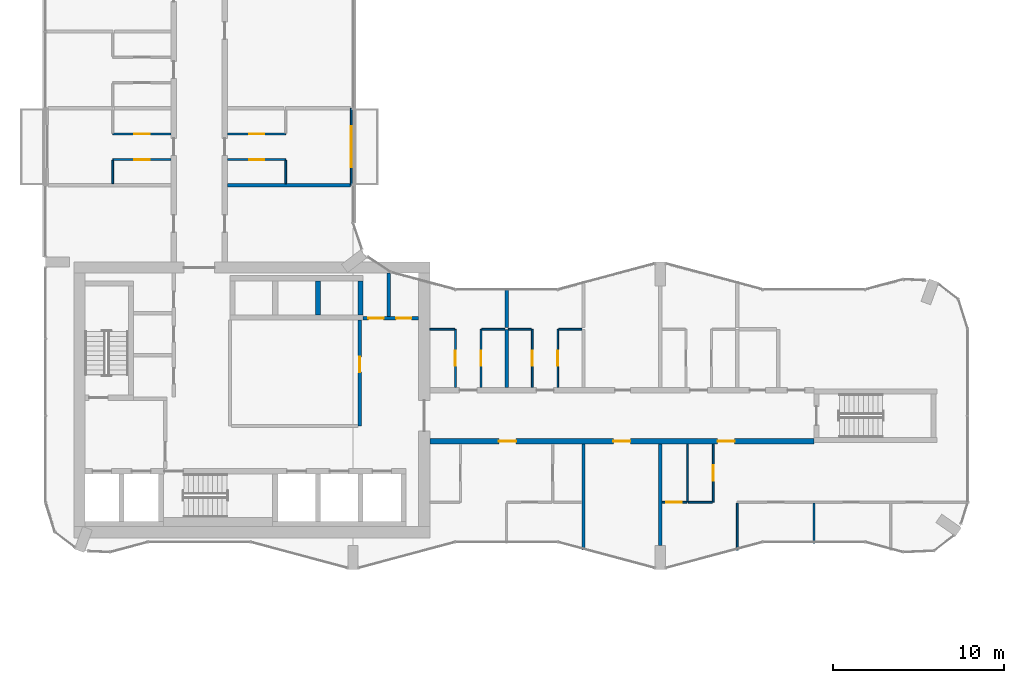
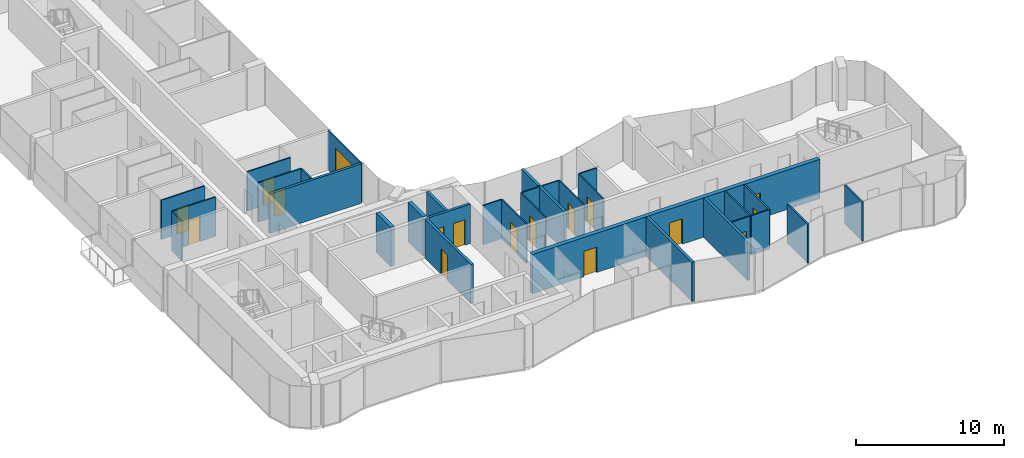
# One storey, part 14 of 22: 32 walls, 17 doors, 17 openings.
"""IFC4 building model written with IfcOpenShell, lengths in metres."""

import ifcopenshell
import ifcopenshell.guid

model = None  # the IFC model being written
_history = None  # IfcOwnerHistory: only IFC2X3 demands one
_inside = {}  # id of a spatial element -> (the spatial element, [elements in it])
_under = {}  # id of a project, library or spatial element -> (it, [spatial elements below it])
_declared = {}  # id of a project -> (the project, [libraries it declares])
_typed = {}  # id of a type object -> (the type object, [elements of that type])
_made_of = {}  # id of a material, layer set ... -> (it, [elements and type objects made of it])


def new_model(schema):
    """Start an empty IFC model of exactly this schema.

    Asked for "IFC4X3", IfcOpenShell would pick the latest addendum, in which some entities
    have other attributes; the version numbers below select the first issue.
    IFC2X3 requires an IfcOwnerHistory on every rooted entity: one is made here for all.
    """
    global model, _history
    if schema == "IFC4X3":
        model = ifcopenshell.file(schema_version=(4, 3, 0, 0))
    else:
        model = ifcopenshell.file(schema=schema)
    _inside.clear()
    _under.clear()
    _declared.clear()
    _typed.clear()
    _made_of.clear()
    _history = None
    if model.schema == "IFC2X3":
        org = make("IfcOrganization", Name="unknown")
        user = make(
            "IfcPersonAndOrganization",
            ThePerson=make("IfcPerson", FamilyName="unknown"),
            TheOrganization=org,
        )
        app = make(
            "IfcApplication",
            ApplicationDeveloper=org,
            Version="unknown",
            ApplicationFullName="unknown",
            ApplicationIdentifier="unknown",
        )
        _history = make(
            "IfcOwnerHistory",
            OwningUser=user,
            OwningApplication=app,
            ChangeAction="ADDED",
            CreationDate=0,
        )
    return model


def make(cls, **values):
    """One entity of the class cls with the attributes given. An attribute that is None is left unset."""
    return model.create_entity(
        cls, **{name: value for name, value in values.items() if value is not None}
    )


def rooted(cls, **values):
    """An entity with a GlobalId (a new one), such as an element, a storey or a relation."""
    return make(cls, GlobalId=ifcopenshell.guid.new(), OwnerHistory=_history, **values)


def si_unit(unit_type, name, prefix=None):
    """IfcSIUnit, for example si_unit("LENGTHUNIT", "METRE", prefix="MILLI")."""
    return make("IfcSIUnit", UnitType=unit_type, Prefix=prefix, Name=name)


def assignment(units):
    """IfcUnitAssignment: the units of a project."""
    return None if units is None else make("IfcUnitAssignment", Units=units)


def point(xyz):
    """IfcCartesianPoint."""
    return None if xyz is None else make("IfcCartesianPoint", Coordinates=xyz)


def direction(xyz):
    """IfcDirection."""
    return None if xyz is None else make("IfcDirection", DirectionRatios=xyz)


def frame(location, z_axis=None, x_axis=None):
    """IfcAxis2Placement3D, a coordinate frame: its origin and axes. An axis left out is left unset."""
    return make(
        "IfcAxis2Placement3D",
        Location=point(location),
        Axis=direction(z_axis),
        RefDirection=direction(x_axis),
    )


def frame_2d(location, x_axis=None):
    """IfcAxis2Placement2D, a coordinate frame in the plane: its origin and x axis."""
    return make(
        "IfcAxis2Placement2D", Location=point(location), RefDirection=direction(x_axis)
    )


def origin():
    """The frame at (0, 0, 0) with its axes left unset."""
    return frame((0.0, 0.0, 0.0))


def place(relative_to, where):
    """IfcLocalPlacement: puts the frame where relative to a parent placement (None: the world)."""
    return make(
        "IfcLocalPlacement", PlacementRelTo=relative_to, RelativePlacement=where
    )


def context(
    kind, dimensions, precision=None, world=None, true_north=None, identifier=None
):
    """IfcGeometricRepresentationContext, for example the 3D "Model" context."""
    return make(
        "IfcGeometricRepresentationContext",
        ContextIdentifier=identifier,
        ContextType=kind,
        CoordinateSpaceDimension=dimensions,
        Precision=precision,
        WorldCoordinateSystem=world,
        TrueNorth=true_north,
    )


def subcontext(parent, identifier, kind, view, scale=None):
    """IfcGeometricRepresentationSubContext, for example "Body" below "Model"."""
    return make(
        "IfcGeometricRepresentationSubContext",
        ContextIdentifier=identifier,
        ContextType=kind,
        ParentContext=parent,
        TargetScale=scale,
        TargetView=view,
    )


def project(units=None, contexts=None):
    """IfcProject with its units and contexts."""
    return rooted(
        "IfcProject",
        Name="project",
        RepresentationContexts=contexts,
        UnitsInContext=assignment(units),
    )


def spatial(cls, under=None, at=None, **own):
    """A site, building, storey or space (cls), placed at a placement, below another one or the project."""
    s = rooted(cls, ObjectPlacement=at, **own)
    if under is not None:
        _under.setdefault(under.id(), (under, []))[1].append(s)
    return s


def profile(cls, at=None, kind="AREA", **sizes):
    """A parametric profile (cls). Its sizes go by their IFC names, for example OverallWidth=200.0."""
    return make(cls, ProfileType=kind, Position=at, **sizes)


def rectangle(**sizes):
    """IfcRectangleProfileDef."""
    return profile("IfcRectangleProfileDef", **sizes)


def extrude(swept, where, along, depth):
    """IfcExtrudedAreaSolid: the profile swept, set in the frame where, extruded along a direction by depth."""
    return make(
        "IfcExtrudedAreaSolid",
        SweptArea=swept,
        Position=where,
        ExtrudedDirection=direction(along),
        Depth=depth,
    )


def shape(context_of_items, identifier, shape_type, items):
    """IfcShapeRepresentation: the items that make up one representation, for example the "Body"."""
    return make(
        "IfcShapeRepresentation",
        ContextOfItems=context_of_items,
        RepresentationIdentifier=identifier,
        RepresentationType=shape_type,
        Items=items,
    )


def material(Name=None, Category=None):
    """IfcMaterial."""
    return make("IfcMaterial", Name=Name, Category=Category)


def layer(
    of_material, thickness, ventilated=None, Name=None, Category=None, Priority=None
):
    """IfcMaterialLayer: one layer of a wall or slab, of a material (None: an air gap)."""
    return make(
        "IfcMaterialLayer",
        Material=of_material,
        LayerThickness=thickness,
        IsVentilated=ventilated,
        Name=Name,
        Category=Category,
        Priority=Priority,
    )


def layer_set(layers, Name=None):
    """IfcMaterialLayerSet."""
    return make("IfcMaterialLayerSet", MaterialLayers=layers, LayerSetName=Name)


def made_of(thing, what):
    """Note that an element or type object is made of a material, layer set ...; save() writes the relation."""
    if what is not None:
        _made_of.setdefault(what.id(), (what, []))[1].append(thing)
    return thing


def type_object(cls, material=None, **own):
    """A type object (cls), such as IfcWallType, which elements share."""
    return made_of(rooted(cls, **own), material)


def element(
    cls,
    number,
    at=None,
    inside=None,
    cuts=None,
    type_object=None,
    material=None,
    context=None,
    identifier="Body",
    shape_type=None,
    held_by="IfcProductDefinitionShape",
    body=None,
    shapes=None,
    **own,
):
    """One element of the class cls, such as IfcWall. Its Tag is "e" and its number.

    at: its placement. inside: the storey or other place that contains it. cuts: it is an
    opening in that element (IfcRelVoidsElement). A single representation is given by context,
    identifier, shape_type and body (its items); several are given by shapes. held_by: the class
    of the entity that holds the representations. save() writes the other relations.
    """
    e = rooted(cls, Tag="e%d" % number, ObjectPlacement=at, **own)
    if body is not None:
        shapes = [shape(context, identifier, shape_type, body)]
    if shapes is not None:
        e.Representation = make(held_by, Representations=shapes)
    if inside is not None:
        _inside.setdefault(inside.id(), (inside, []))[1].append(e)
    if cuts is not None:
        rooted(
            "IfcRelVoidsElement", RelatingBuildingElement=cuts, RelatedOpeningElement=e
        )
    if type_object is not None:
        _typed.setdefault(type_object.id(), (type_object, []))[1].append(e)
    return made_of(e, material)


def fill(opening, filler):
    """IfcRelFillsElement: the door or window that sits in an opening."""
    return rooted(
        "IfcRelFillsElement",
        RelatingOpeningElement=opening,
        RelatedBuildingElement=filler,
    )


def aggregate(whole, parts):
    """IfcRelAggregates: a whole, such as a stair, and the parts it consists of."""
    return rooted("IfcRelAggregates", RelatingObject=whole, RelatedObjects=parts)


def save(model, path):
    """Write the relations noted so far, then the file.

    IfcRelAggregates (storeys below a building ...), IfcRelContainedInSpatialStructure (elements
    in a storey), IfcRelDefinesByType, IfcRelAssociatesMaterial and IfcRelDeclares: one each for
    every whole, place, type object, material and project.
    """
    for whole, parts in _under.values():
        aggregate(whole, parts)
    for where, things in _inside.values():
        rooted(
            "IfcRelContainedInSpatialStructure",
            RelatedElements=things,
            RelatingStructure=where,
        )
    for kind, things in _typed.values():
        rooted("IfcRelDefinesByType", RelatedObjects=things, RelatingType=kind)
    for what, things in _made_of.values():
        rooted("IfcRelAssociatesMaterial", RelatedObjects=things, RelatingMaterial=what)
    for by, libraries in _declared.values():
        rooted("IfcRelDeclares", RelatingContext=by, RelatedDefinitions=libraries)
    model.write(path)


model = new_model("IFC4")

# Units and contexts
model_context = context("Model", 3, precision=1e-05, world=origin(), true_north=direction((0.0, 1.0)))
body_context = subcontext(model_context, "Body", "Model", "MODEL_VIEW")
ifc_project = project(units=[si_unit("LENGTHUNIT", "METRE"), si_unit("AREAUNIT", "SQUARE_METRE"), si_unit("VOLUMEUNIT", "CUBIC_METRE"), si_unit("PLANEANGLEUNIT", "RADIAN"), si_unit("MASSUNIT", "GRAM", prefix="KILO")], contexts=[model_context])

# Site, building, storey
site_placement = place(None, origin())
site = spatial("IfcSite", under=ifc_project, at=site_placement, CompositionType="ELEMENT")
building_placement = place(site_placement, origin())
building = spatial("IfcBuilding", under=site, at=building_placement, Name="Plateau Cross Towers", CompositionType="ELEMENT")
storey_placement = place(building_placement, frame((0.0, 0.0, 106.300048828125)))
storey = spatial("IfcBuildingStorey", under=building, at=storey_placement, Name="L27", CompositionType="ELEMENT", Elevation=106.300048828125)

# Wall, opening, door
ifc_material_1 = material(Name="Aluminium framed glazing", Category="aluminium")
ifc_layer_1 = layer(ifc_material_1, 0.10009765625)
ifc_layer_set_1 = layer_set([ifc_layer_1], Name="Aluminium framed glazing")
wall_type_1 = type_object("IfcWallType", Name="Balcony screen wall 100", PredefinedType="STANDARD", material=ifc_layer_set_1)
wall_1_placement = place(storey_placement, frame((17.89990234375, 27.0, 0.0), z_axis=(0.0, 0.0, 1.0), x_axis=(0.0, -1.0, 0.0)))
wall_1 = element("IfcWall", 1, at=wall_1_placement, inside=storey, type_object=wall_type_1, Name="Balcony screen wall A-BAL-L27-02", PredefinedType="STANDARD", context=body_context, shape_type="SweptSolid", body=[
    extrude(rectangle(XDim=4.5, YDim=0.10009765625, at=frame_2d((2.25, 0.0))), origin(), (0.0, 0.0, 1.0), 3.25),
])
opening_1_placement = place(wall_1_placement, frame((1.050048828125, 0.0, 0.0)))
opening_1 = element("IfcOpeningElement", 2, at=opening_1_placement, cuts=wall_1, Name="Opening D-B24", PredefinedType="OPENING", context=body_context, shape_type="SweptSolid", body=[
    extrude(rectangle(XDim=2.39990234375, YDim=2.39990234375, at=frame_2d((1.199951171875, 1.199951171875))), frame((0.0, 0.06005859375, 0.0), z_axis=(0.0, -1.0, 0.0), x_axis=(1.0, 0.0, 0.0)), (0.0, 0.0, 1.0), 0.1201171875),
])
ifc_material_2 = material(Name="Aluminium frame, double glazing", Category="aluminium")
door_type_1 = type_object("IfcDoorType", Name="Balcony sliding door 2400", OperationType="NOTDEFINED", PredefinedType="DOOR", material=ifc_material_2)
door_1_placement = place(opening_1_placement, origin())
door_1 = element("IfcDoor", 3, at=door_1_placement, inside=storey, type_object=door_type_1, Name="Balcony door A-BAL-L27-02", OperationType="SINGLE_SWING_LEFT", OverallHeight=2.39990234375, OverallWidth=2.39990234375, PredefinedType="DOOR", context=body_context, shape_type="SweptSolid", body=[
    extrude(rectangle(XDim=2.39990234375, YDim=2.39990234375, at=frame_2d((1.199951171875, 1.199951171875))), frame((0.0, 0.02490234375, 0.0), z_axis=(0.0, -1.0, 0.0), x_axis=(1.0, 0.0, 0.0)), (0.0, 0.0, 1.0), 0.050048828125),
])
fill(opening_1, door_1)

ifc_material_3 = material(Name="Concrete block, plastered both sides", Category="concrete")
ifc_layer_2 = layer(ifc_material_3, 0.199951171875)
ifc_layer_set_2 = layer_set([ifc_layer_2], Name="Concrete block, plastered both sides")
wall_type_2 = type_object("IfcWallType", Name="Core partition 200", PredefinedType="PARTITIONING", material=ifc_layer_set_2)
wall_2_placement = place(storey_placement, frame((18.39990234375, 8.39990234375, 0.0), z_axis=(0.0, 0.0, 1.0), x_axis=(0.0, 1.0, 0.0)))
wall_2 = element("IfcWall", 4, at=wall_2_placement, inside=storey, type_object=wall_type_2, Name="Core partition", PredefinedType="PARTITIONING", context=body_context, shape_type="SweptSolid", body=[
    extrude(rectangle(XDim=6.2001953125, YDim=0.199951171875, at=frame_2d((3.10009765625, 0.0))), origin(), (0.0, 0.0, 1.0), 3.25),
])
opening_2_placement = place(wall_2_placement, frame((3.14990234375, 0.0, 0.0)))
opening_2 = element("IfcOpeningElement", 5, at=opening_2_placement, cuts=wall_2, Name="Opening RD1", PredefinedType="OPENING", context=body_context, shape_type="SweptSolid", body=[
    extrude(rectangle(XDim=0.89990234375, YDim=2.10009765625, at=frame_2d((0.449951171875, 1.050048828125))), frame((0.0, 0.10986328125, 0.0), z_axis=(0.0, -1.0, 0.0), x_axis=(1.0, 0.0, 0.0)), (0.0, 0.0, 1.0), 0.219970703125),
])
ifc_material_4 = material(Name="Timber, fire-resisting leaf", Category="wood")
door_type_2 = type_object("IfcDoorType", Name="Core service door 900", OperationType="NOTDEFINED", PredefinedType="DOOR", material=ifc_material_4)
door_2_placement = place(opening_2_placement, origin())
door_2 = element("IfcDoor", 6, at=door_2_placement, inside=storey, type_object=door_type_2, Name="Core service door RD1", OperationType="SINGLE_SWING_LEFT", OverallHeight=2.10009765625, OverallWidth=0.89990234375, PredefinedType="DOOR", context=body_context, shape_type="SweptSolid", body=[
    extrude(rectangle(XDim=0.89990234375, YDim=2.10009765625, at=frame_2d((0.449951171875, 1.050048828125))), frame((0.0, 0.02490234375, 0.0), z_axis=(0.0, -1.0, 0.0), x_axis=(1.0, 0.0, 0.0)), (0.0, 0.0, 1.0), 0.050048828125),
])
fill(opening_2, door_2)

# Wall, openings, doors
wall_3_placement = place(storey_placement, frame((18.60009765625, 14.699951171875, 0.0), z_axis=(0.0, 0.0, 1.0), x_axis=(1.0, 0.0, 0.0)))
wall_3 = element("IfcWall", 7, at=wall_3_placement, inside=storey, type_object=wall_type_2, Name="Core partition", PredefinedType="PARTITIONING", context=body_context, shape_type="SweptSolid", body=[
    extrude(rectangle(XDim=3.25, YDim=0.199951171875, at=frame_2d((1.625, 0.0))), origin(), (0.0, 0.0, 1.0), 3.25),
])
opening_3_placement = place(wall_3_placement, frame((0.300048828125, 0.0, 0.0)))
opening_3 = element("IfcOpeningElement", 8, at=opening_3_placement, cuts=wall_3, Name="Opening RD2", PredefinedType="OPENING", context=body_context, shape_type="SweptSolid", body=[
    extrude(rectangle(XDim=0.89990234375, YDim=2.10009765625, at=frame_2d((0.449951171875, 1.050048828125))), frame((0.0, 0.10986328125, 0.0), z_axis=(0.0, -1.0, 0.0), x_axis=(1.0, 0.0, 0.0)), (0.0, 0.0, 1.0), 0.219970703125),
])
opening_4_placement = place(wall_3_placement, frame((1.925048828125, 0.0, 0.0)))
opening_4 = element("IfcOpeningElement", 9, at=opening_4_placement, cuts=wall_3, Name="Opening RD2", PredefinedType="OPENING", context=body_context, shape_type="SweptSolid", body=[
    extrude(rectangle(XDim=0.89990234375, YDim=2.10009765625, at=frame_2d((0.449951171875, 1.050048828125))), frame((0.0, 0.10986328125, 0.0), z_axis=(0.0, -1.0, 0.0), x_axis=(1.0, 0.0, 0.0)), (0.0, 0.0, 1.0), 0.219970703125),
])
ifc_material_5 = material(Name="Steel, fire-resisting leaf", Category="steel")
door_type_3 = type_object("IfcDoorType", Name="Core riser door 900", OperationType="NOTDEFINED", PredefinedType="DOOR", material=ifc_material_5)
door_3_placement = place(opening_3_placement, origin())
door_3 = element("IfcDoor", 10, at=door_3_placement, inside=storey, type_object=door_type_3, Name="Core riser door RD2", OperationType="SINGLE_SWING_LEFT", OverallHeight=2.10009765625, OverallWidth=0.89990234375, PredefinedType="DOOR", context=body_context, shape_type="SweptSolid", body=[
    extrude(rectangle(XDim=0.89990234375, YDim=2.10009765625, at=frame_2d((0.449951171875, 1.050048828125))), frame((0.0, 0.02490234375, 0.0), z_axis=(0.0, -1.0, 0.0), x_axis=(1.0, 0.0, 0.0)), (0.0, 0.0, 1.0), 0.050048828125),
])
fill(opening_3, door_3)
door_4_placement = place(opening_4_placement, origin())
door_4 = element("IfcDoor", 11, at=door_4_placement, inside=storey, type_object=door_type_3, Name="Core riser door RD2", OperationType="SINGLE_SWING_LEFT", OverallHeight=2.10009765625, OverallWidth=0.89990234375, PredefinedType="DOOR", context=body_context, shape_type="SweptSolid", body=[
    extrude(rectangle(XDim=0.89990234375, YDim=2.10009765625, at=frame_2d((0.449951171875, 1.050048828125))), frame((0.0, 0.02490234375, 0.0), z_axis=(0.0, -1.0, 0.0), x_axis=(1.0, 0.0, 0.0)), (0.0, 0.0, 1.0), 0.050048828125),
])
fill(opening_4, door_4)

# Walls
wall_4_placement = place(storey_placement, frame((20.10009765625, 14.800048828125, 0.0), z_axis=(0.0, 0.0, 1.0), x_axis=(0.0, 1.0, 0.0)))
element("IfcWall", 12, at=wall_4_placement, inside=storey, type_object=wall_type_2, Name="Core partition", PredefinedType="PARTITIONING", context=body_context, shape_type="SweptSolid", body=[
    extrude(rectangle(XDim=2.550048828125, YDim=0.199951171875, at=frame_2d((1.27490234375, 0.0))), origin(), (0.0, 0.0, 1.0), 3.25),
])
ifc_material_6 = material(Name="Concrete C60/75", Category="concrete")
ifc_layer_3 = layer(ifc_material_6, 0.300048828125)
ifc_layer_set_3 = layer_set([ifc_layer_3], Name="Concrete C60/75")
wall_type_3 = type_object("IfcWallType", Name="Core shaft wall 300", PredefinedType="SHEAR", material=ifc_layer_set_3)
for number, where, z_axis, x_axis, name in (
    (13, (15.949951171875, 14.89990234375, 0.0), (0.0, 0.0, 1.0), (0.0, 1.0, 0.0), "A-nb-v3@L27"),
    (14, (18.449951171875, 14.89990234375, 0.0), (0.0, 0.0, 1.0), (0.0, 1.0, 0.0), "A-nb-v4@L27"),
):
    element("IfcWall", number, at=place(storey_placement, frame(where, z_axis=z_axis, x_axis=x_axis)), inside=storey, type_object=wall_type_3, Name=name, PredefinedType="SHEAR", context=body_context, shape_type="SweptSolid", body=[
        extrude(rectangle(XDim=2.0, YDim=0.300048828125, at=frame_2d((1.0, 0.0))), origin(), (0.0, 0.0, 1.0), 3.25),
    ])

# Wall, openings, doors
ifc_layer_4 = layer(ifc_material_6, 0.324951171875)
ifc_layer_set_4 = layer_set([ifc_layer_4], Name="Concrete C60/75")
wall_type_4 = type_object("IfcWallType", Name="Corridor wall 325", PredefinedType="SHEAR", material=ifc_layer_set_4)
wall_5_placement = place(storey_placement, frame((22.5, 7.5, 0.0), z_axis=(0.0, 0.0, 1.0), x_axis=(1.0, 0.0, 0.0)))
wall_5 = element("IfcWall", 15, at=wall_5_placement, inside=storey, type_object=wall_type_4, Name="A-cw-S1@L27", PredefinedType="SHEAR", context=body_context, shape_type="SweptSolid", body=[
    extrude(rectangle(XDim=22.5, YDim=0.324951171875, at=frame_2d((11.25, 0.0))), origin(), (0.0, 0.0, 1.0), 3.25),
])
opening_5_placement = place(wall_5_placement, frame((4.050048828125, 0.0, 0.0)))
opening_5 = element("IfcOpeningElement", 16, at=opening_5_placement, cuts=wall_5, Name="Opening 27-01", PredefinedType="OPENING", context=body_context, shape_type="SweptSolid", body=[
    extrude(rectangle(XDim=1.0, YDim=2.10009765625, at=frame_2d((0.5, 1.050048828125))), frame((0.0, 0.17236328125, 0.0), z_axis=(0.0, -1.0, 0.0), x_axis=(1.0, 0.0, 0.0)), (0.0, 0.0, 1.0), 0.344970703125),
])
opening_6_placement = place(wall_5_placement, frame((10.75, 0.0, 0.0)))
opening_6 = element("IfcOpeningElement", 17, at=opening_6_placement, cuts=wall_5, Name="Opening 27-02", PredefinedType="OPENING", context=body_context, shape_type="SweptSolid", body=[
    extrude(rectangle(XDim=1.0, YDim=2.10009765625, at=frame_2d((0.5, 1.050048828125))), frame((0.0, 0.17236328125, 0.0), z_axis=(0.0, -1.0, 0.0), x_axis=(1.0, 0.0, 0.0)), (0.0, 0.0, 1.0), 0.344970703125),
])
opening_7_placement = place(wall_5_placement, frame((16.85009765625, 0.0, 0.0)))
opening_7 = element("IfcOpeningElement", 18, at=opening_7_placement, cuts=wall_5, Name="Opening 27-03", PredefinedType="OPENING", context=body_context, shape_type="SweptSolid", body=[
    extrude(rectangle(XDim=1.0, YDim=2.10009765625, at=frame_2d((0.5, 1.050048828125))), frame((0.0, 0.17236328125, 0.0), z_axis=(0.0, -1.0, 0.0), x_axis=(1.0, 0.0, 0.0)), (0.0, 0.0, 1.0), 0.344970703125),
])
door_type_4 = type_object("IfcDoorType", Name="Flat entrance door 1000", OperationType="NOTDEFINED", PredefinedType="DOOR", material=ifc_material_4)
door_5_placement = place(opening_5_placement, origin())
door_5 = element("IfcDoor", 19, at=door_5_placement, inside=storey, type_object=door_type_4, Name="Door 27-01", OperationType="SINGLE_SWING_LEFT", OverallHeight=2.10009765625, OverallWidth=1.0, PredefinedType="DOOR", context=body_context, shape_type="SweptSolid", body=[
    extrude(rectangle(XDim=1.0, YDim=2.10009765625, at=frame_2d((0.5, 1.050048828125))), frame((0.0, 0.02490234375, 0.0), z_axis=(0.0, -1.0, 0.0), x_axis=(1.0, 0.0, 0.0)), (0.0, 0.0, 1.0), 0.050048828125),
])
fill(opening_5, door_5)
door_6_placement = place(opening_6_placement, origin())
door_6 = element("IfcDoor", 20, at=door_6_placement, inside=storey, type_object=door_type_4, Name="Door 27-02", OperationType="SINGLE_SWING_LEFT", OverallHeight=2.10009765625, OverallWidth=1.0, PredefinedType="DOOR", context=body_context, shape_type="SweptSolid", body=[
    extrude(rectangle(XDim=1.0, YDim=2.10009765625, at=frame_2d((0.5, 1.050048828125))), frame((0.0, 0.02490234375, 0.0), z_axis=(0.0, -1.0, 0.0), x_axis=(1.0, 0.0, 0.0)), (0.0, 0.0, 1.0), 0.050048828125),
])
fill(opening_6, door_6)
door_7_placement = place(opening_7_placement, origin())
door_7 = element("IfcDoor", 21, at=door_7_placement, inside=storey, type_object=door_type_4, Name="Door 27-03", OperationType="SINGLE_SWING_RIGHT", OverallHeight=2.10009765625, OverallWidth=1.0, PredefinedType="DOOR", context=body_context, shape_type="SweptSolid", body=[
    extrude(rectangle(XDim=1.0, YDim=2.10009765625, at=frame_2d((0.5, 1.050048828125))), frame((0.0, 0.02490234375, 0.0), z_axis=(0.0, -1.0, 0.0), x_axis=(1.0, 0.0, 0.0)), (0.0, 0.0, 1.0), 0.050048828125),
])
fill(opening_7, door_7)

# Wall, opening, door
ifc_material_7 = material(Name="Gypsum board on steel studs", Category="steel")
ifc_layer_5 = layer(ifc_material_7, 0.10009765625)
ifc_layer_set_5 = layer_set([ifc_layer_5], Name="Gypsum board on steel studs")
wall_type_5 = type_object("IfcWallType", Name="Flat partition 100", PredefinedType="PARTITIONING", material=ifc_layer_set_5)
wall_6_placement = place(storey_placement, frame((36.10009765625, 3.9375, 0.0), z_axis=(0.0, 0.0, 1.0), x_axis=(1.0, 0.0, 0.0)))
wall_6 = element("IfcWall", 22, at=wall_6_placement, inside=storey, type_object=wall_type_5, Name="Partition wall", PredefinedType="PARTITIONING", context=body_context, shape_type="SweptSolid", body=[
    extrude(rectangle(XDim=1.449951171875, YDim=0.10009765625, at=frame_2d((0.72509765625, 0.0))), origin(), (0.0, 0.0, 1.0), 3.25),
])
opening_8_placement = place(wall_6_placement, frame((0.25, 0.0, 0.0)))
opening_8 = element("IfcOpeningElement", 23, at=opening_8_placement, cuts=wall_6, Name="Opening 27-24", PredefinedType="OPENING", context=body_context, shape_type="SweptSolid", body=[
    extrude(rectangle(XDim=0.89990234375, YDim=2.10009765625, at=frame_2d((0.449951171875, 1.050048828125))), frame((0.0, 0.06005859375, 0.0), z_axis=(0.0, -1.0, 0.0), x_axis=(1.0, 0.0, 0.0)), (0.0, 0.0, 1.0), 0.1201171875),
])
ifc_material_8 = material(Name="Timber leaf", Category="wood")
door_type_5 = type_object("IfcDoorType", Name="Flat room door 900", OperationType="NOTDEFINED", PredefinedType="DOOR", material=ifc_material_8)
door_8_placement = place(opening_8_placement, origin())
door_8 = element("IfcDoor", 24, at=door_8_placement, inside=storey, type_object=door_type_5, Name="Door 27-24", OperationType="SINGLE_SWING_LEFT", OverallHeight=2.10009765625, OverallWidth=0.89990234375, PredefinedType="DOOR", context=body_context, shape_type="SweptSolid", body=[
    extrude(rectangle(XDim=0.89990234375, YDim=2.10009765625, at=frame_2d((0.449951171875, 1.050048828125))), frame((0.0, 0.02490234375, 0.0), z_axis=(0.0, -1.0, 0.0), x_axis=(1.0, 0.0, 0.0)), (0.0, 0.0, 1.0), 0.050048828125),
])
fill(opening_8, door_8)

# Walls
wall_7_placement = place(storey_placement, frame((37.64990234375, 3.9375, 0.0), z_axis=(0.0, 0.0, 1.0), x_axis=(1.0, 0.0, 0.0)))
element("IfcWall", 25, at=wall_7_placement, inside=storey, type_object=wall_type_5, Name="Partition wall", PredefinedType="PARTITIONING", context=body_context, shape_type="SweptSolid", body=[
    extrude(rectangle(XDim=1.400146484375, YDim=0.10009765625, at=frame_2d((0.7001953125, 0.0))), origin(), (0.0, 0.0, 1.0), 3.25),
])
wall_8_placement = place(storey_placement, frame((23.949951171875, 14.0625, 0.0), z_axis=(0.0, 0.0, 1.0), x_axis=(-1.0, 0.0, 0.0)))
element("IfcWall", 26, at=wall_8_placement, inside=storey, type_object=wall_type_5, Name="Partition wall", PredefinedType="PARTITIONING", context=body_context, shape_type="SweptSolid", body=[
    extrude(rectangle(XDim=1.449951171875, YDim=0.10009765625, at=frame_2d((0.72509765625, 0.0))), origin(), (0.0, 0.0, 1.0), 3.25),
])
for number, where, z_axis, x_axis, name in (
    (27, (26.89990234375, 14.0625, 0.0), (0.0, 0.0, 1.0), (-1.0, 0.0, 0.0), "Partition wall"),
    (28, (28.449951171875, 14.0625, 0.0), (0.0, 0.0, 1.0), (-1.0, 0.0, 0.0), "Partition wall"),
    (29, (31.39990234375, 14.0625, 0.0), (0.0, 0.0, 1.0), (-1.0, 0.0, 0.0), "Partition wall"),
):
    element("IfcWall", number, at=place(storey_placement, frame(where, z_axis=z_axis, x_axis=x_axis)), inside=storey, type_object=wall_type_5, Name=name, PredefinedType="PARTITIONING", context=body_context, shape_type="SweptSolid", body=[
        extrude(rectangle(XDim=1.349853515625, YDim=0.10009765625, at=frame_2d((0.6748046875, 0.0))), origin(), (0.0, 0.0, 1.0), 3.25),
    ])

# Wall, opening, door
wall_9_placement = place(storey_placement, frame((7.33740234375, 24.0, 0.0), z_axis=(0.0, 0.0, 1.0), x_axis=(-1.0, 0.0, 0.0)))
wall_9 = element("IfcWall", 30, at=wall_9_placement, inside=storey, type_object=wall_type_5, Name="Partition wall", PredefinedType="PARTITIONING", context=body_context, shape_type="SweptSolid", body=[
    extrude(rectangle(XDim=3.39990234375, YDim=0.10009765625, at=frame_2d((1.699951171875, 0.0))), origin(), (0.0, 0.0, 1.0), 3.25),
])
opening_9_placement = place(wall_9_placement, frame((1.25, 0.0, 0.0)))
opening_9 = element("IfcOpeningElement", 31, at=opening_9_placement, cuts=wall_9, Name="Opening 27-35", PredefinedType="OPENING", context=body_context, shape_type="SweptSolid", body=[
    extrude(rectangle(XDim=0.89990234375, YDim=2.10009765625, at=frame_2d((0.449951171875, 1.050048828125))), frame((0.0, 0.06005859375, 0.0), z_axis=(0.0, -1.0, 0.0), x_axis=(1.0, 0.0, 0.0)), (0.0, 0.0, 1.0), 0.1201171875),
])
door_9_placement = place(opening_9_placement, origin())
door_9 = element("IfcDoor", 32, at=door_9_placement, inside=storey, type_object=door_type_5, Name="Door 27-35", OperationType="SINGLE_SWING_LEFT", OverallHeight=2.10009765625, OverallWidth=0.89990234375, PredefinedType="DOOR", context=body_context, shape_type="SweptSolid", body=[
    extrude(rectangle(XDim=0.89990234375, YDim=2.10009765625, at=frame_2d((0.449951171875, 1.050048828125))), frame((0.0, 0.02490234375, 0.0), z_axis=(0.0, -1.0, 0.0), x_axis=(1.0, 0.0, 0.0)), (0.0, 0.0, 1.0), 0.050048828125),
])
fill(opening_9, door_9)

wall_10_placement = place(storey_placement, frame((14.0625, 24.0, 0.0), z_axis=(0.0, 0.0, 1.0), x_axis=(-1.0, 0.0, 0.0)))
wall_10 = element("IfcWall", 33, at=wall_10_placement, inside=storey, type_object=wall_type_5, Name="Partition wall", PredefinedType="PARTITIONING", context=body_context, shape_type="SweptSolid", body=[
    extrude(rectangle(XDim=3.39990234375, YDim=0.10009765625, at=frame_2d((1.699951171875, 0.0))), origin(), (0.0, 0.0, 1.0), 3.25),
])
opening_10_placement = place(wall_10_placement, frame((1.25, 0.0, 0.0)))
opening_10 = element("IfcOpeningElement", 34, at=opening_10_placement, cuts=wall_10, Name="Opening 27-41", PredefinedType="OPENING", context=body_context, shape_type="SweptSolid", body=[
    extrude(rectangle(XDim=0.89990234375, YDim=2.10009765625, at=frame_2d((0.449951171875, 1.050048828125))), frame((0.0, 0.06005859375, 0.0), z_axis=(0.0, -1.0, 0.0), x_axis=(1.0, 0.0, 0.0)), (0.0, 0.0, 1.0), 0.1201171875),
])
door_10_placement = place(opening_10_placement, origin())
door_10 = element("IfcDoor", 35, at=door_10_placement, inside=storey, type_object=door_type_5, Name="Door 27-41", OperationType="SINGLE_SWING_LEFT", OverallHeight=2.10009765625, OverallWidth=0.89990234375, PredefinedType="DOOR", context=body_context, shape_type="SweptSolid", body=[
    extrude(rectangle(XDim=0.89990234375, YDim=2.10009765625, at=frame_2d((0.449951171875, 1.050048828125))), frame((0.0, 0.02490234375, 0.0), z_axis=(0.0, -1.0, 0.0), x_axis=(1.0, 0.0, 0.0)), (0.0, 0.0, 1.0), 0.050048828125),
])
fill(opening_10, door_10)

wall_11_placement = place(storey_placement, frame((3.9375, 25.5, 0.0), z_axis=(0.0, 0.0, 1.0), x_axis=(1.0, 0.0, 0.0)))
wall_11 = element("IfcWall", 36, at=wall_11_placement, inside=storey, type_object=wall_type_5, Name="Partition wall", PredefinedType="PARTITIONING", context=body_context, shape_type="SweptSolid", body=[
    extrude(rectangle(XDim=3.39990234375, YDim=0.10009765625, at=frame_2d((1.699951171875, 0.0))), origin(), (0.0, 0.0, 1.0), 3.25),
])
opening_11_placement = place(wall_11_placement, frame((1.25, 0.0, 0.0)))
opening_11 = element("IfcOpeningElement", 37, at=opening_11_placement, cuts=wall_11, Name="Opening 27-36", PredefinedType="OPENING", context=body_context, shape_type="SweptSolid", body=[
    extrude(rectangle(XDim=0.89990234375, YDim=2.10009765625, at=frame_2d((0.449951171875, 1.050048828125))), frame((0.0, 0.06005859375, 0.0), z_axis=(0.0, -1.0, 0.0), x_axis=(1.0, 0.0, 0.0)), (0.0, 0.0, 1.0), 0.1201171875),
])
door_11_placement = place(opening_11_placement, origin())
door_11 = element("IfcDoor", 38, at=door_11_placement, inside=storey, type_object=door_type_5, Name="Door 27-36", OperationType="SINGLE_SWING_LEFT", OverallHeight=2.10009765625, OverallWidth=0.89990234375, PredefinedType="DOOR", context=body_context, shape_type="SweptSolid", body=[
    extrude(rectangle(XDim=0.89990234375, YDim=2.10009765625, at=frame_2d((0.449951171875, 1.050048828125))), frame((0.0, 0.02490234375, 0.0), z_axis=(0.0, -1.0, 0.0), x_axis=(1.0, 0.0, 0.0)), (0.0, 0.0, 1.0), 0.050048828125),
])
fill(opening_11, door_11)

wall_12_placement = place(storey_placement, frame((10.66259765625, 25.5, 0.0), z_axis=(0.0, 0.0, 1.0), x_axis=(1.0, 0.0, 0.0)))
wall_12 = element("IfcWall", 39, at=wall_12_placement, inside=storey, type_object=wall_type_5, Name="Partition wall", PredefinedType="PARTITIONING", context=body_context, shape_type="SweptSolid", body=[
    extrude(rectangle(XDim=3.39990234375, YDim=0.10009765625, at=frame_2d((1.699951171875, 0.0))), origin(), (0.0, 0.0, 1.0), 3.25),
])
opening_12_placement = place(wall_12_placement, frame((1.25, 0.0, 0.0)))
opening_12 = element("IfcOpeningElement", 40, at=opening_12_placement, cuts=wall_12, Name="Opening 27-42", PredefinedType="OPENING", context=body_context, shape_type="SweptSolid", body=[
    extrude(rectangle(XDim=0.89990234375, YDim=2.10009765625, at=frame_2d((0.449951171875, 1.050048828125))), frame((0.0, 0.06005859375, 0.0), z_axis=(0.0, -1.0, 0.0), x_axis=(1.0, 0.0, 0.0)), (0.0, 0.0, 1.0), 0.1201171875),
])
door_12_placement = place(opening_12_placement, origin())
door_12 = element("IfcDoor", 41, at=door_12_placement, inside=storey, type_object=door_type_5, Name="Door 27-42", OperationType="SINGLE_SWING_LEFT", OverallHeight=2.10009765625, OverallWidth=0.89990234375, PredefinedType="DOOR", context=body_context, shape_type="SweptSolid", body=[
    extrude(rectangle(XDim=0.89990234375, YDim=2.10009765625, at=frame_2d((0.449951171875, 1.050048828125))), frame((0.0, 0.02490234375, 0.0), z_axis=(0.0, -1.0, 0.0), x_axis=(1.0, 0.0, 0.0)), (0.0, 0.0, 1.0), 0.050048828125),
])
fill(opening_12, door_12)

# Walls
for number, where, z_axis, x_axis, name in (
    (42, (3.9375, 23.949951171875, 0.0), (0.0, 0.0, 1.0), (0.0, -1.0, 0.0), "Partition wall"),
    (43, (14.0625, 22.60009765625, 0.0), (0.0, 0.0, 1.0), (0.0, 1.0, 0.0), "Partition wall"),
):
    element("IfcWall", number, at=place(storey_placement, frame(where, z_axis=z_axis, x_axis=x_axis)), inside=storey, type_object=wall_type_5, Name=name, PredefinedType="PARTITIONING", context=body_context, shape_type="SweptSolid", body=[
        extrude(rectangle(XDim=1.349853515625, YDim=0.10009765625, at=frame_2d((0.6748046875, 0.0))), origin(), (0.0, 0.0, 1.0), 3.25),
    ])

# Wall, opening, door
wall_13_placement = place(storey_placement, frame((24.0, 10.66259765625, 0.0), z_axis=(0.0, 0.0, 1.0), x_axis=(0.0, 1.0, 0.0)))
wall_13 = element("IfcWall", 44, at=wall_13_placement, inside=storey, type_object=wall_type_5, Name="Partition wall", PredefinedType="PARTITIONING", context=body_context, shape_type="SweptSolid", body=[
    extrude(rectangle(XDim=3.39990234375, YDim=0.10009765625, at=frame_2d((1.699951171875, 0.0))), origin(), (0.0, 0.0, 1.0), 3.25),
])
opening_13_placement = place(wall_13_placement, frame((1.25, 0.0, 0.0)))
opening_13 = element("IfcOpeningElement", 45, at=opening_13_placement, cuts=wall_13, Name="Opening 27-29", PredefinedType="OPENING", context=body_context, shape_type="SweptSolid", body=[
    extrude(rectangle(XDim=0.89990234375, YDim=2.10009765625, at=frame_2d((0.449951171875, 1.050048828125))), frame((0.0, 0.06005859375, 0.0), z_axis=(0.0, -1.0, 0.0), x_axis=(1.0, 0.0, 0.0)), (0.0, 0.0, 1.0), 0.1201171875),
])
door_13_placement = place(opening_13_placement, origin())
door_13 = element("IfcDoor", 46, at=door_13_placement, inside=storey, type_object=door_type_5, Name="Door 27-29", OperationType="SINGLE_SWING_LEFT", OverallHeight=2.10009765625, OverallWidth=0.89990234375, PredefinedType="DOOR", context=body_context, shape_type="SweptSolid", body=[
    extrude(rectangle(XDim=0.89990234375, YDim=2.10009765625, at=frame_2d((0.449951171875, 1.050048828125))), frame((0.0, 0.02490234375, 0.0), z_axis=(0.0, -1.0, 0.0), x_axis=(1.0, 0.0, 0.0)), (0.0, 0.0, 1.0), 0.050048828125),
])
fill(opening_13, door_13)

wall_14_placement = place(storey_placement, frame((25.5, 14.0625, 0.0), z_axis=(0.0, 0.0, 1.0), x_axis=(0.0, -1.0, 0.0)))
wall_14 = element("IfcWall", 47, at=wall_14_placement, inside=storey, type_object=wall_type_5, Name="Partition wall", PredefinedType="PARTITIONING", context=body_context, shape_type="SweptSolid", body=[
    extrude(rectangle(XDim=3.39990234375, YDim=0.10009765625, at=frame_2d((1.699951171875, 0.0))), origin(), (0.0, 0.0, 1.0), 3.25),
])
opening_14_placement = place(wall_14_placement, frame((1.25, 0.0, 0.0)))
opening_14 = element("IfcOpeningElement", 48, at=opening_14_placement, cuts=wall_14, Name="Opening 27-30", PredefinedType="OPENING", context=body_context, shape_type="SweptSolid", body=[
    extrude(rectangle(XDim=0.89990234375, YDim=2.10009765625, at=frame_2d((0.449951171875, 1.050048828125))), frame((0.0, 0.06005859375, 0.0), z_axis=(0.0, -1.0, 0.0), x_axis=(1.0, 0.0, 0.0)), (0.0, 0.0, 1.0), 0.1201171875),
])
door_14_placement = place(opening_14_placement, origin())
door_14 = element("IfcDoor", 49, at=door_14_placement, inside=storey, type_object=door_type_5, Name="Door 27-30", OperationType="SINGLE_SWING_LEFT", OverallHeight=2.10009765625, OverallWidth=0.89990234375, PredefinedType="DOOR", context=body_context, shape_type="SweptSolid", body=[
    extrude(rectangle(XDim=0.89990234375, YDim=2.10009765625, at=frame_2d((0.449951171875, 1.050048828125))), frame((0.0, 0.02490234375, 0.0), z_axis=(0.0, -1.0, 0.0), x_axis=(1.0, 0.0, 0.0)), (0.0, 0.0, 1.0), 0.050048828125),
])
fill(opening_14, door_14)

wall_15_placement = place(storey_placement, frame((28.5, 10.66259765625, 0.0), z_axis=(0.0, 0.0, 1.0), x_axis=(0.0, 1.0, 0.0)))
wall_15 = element("IfcWall", 50, at=wall_15_placement, inside=storey, type_object=wall_type_5, Name="Partition wall", PredefinedType="PARTITIONING", context=body_context, shape_type="SweptSolid", body=[
    extrude(rectangle(XDim=3.39990234375, YDim=0.10009765625, at=frame_2d((1.699951171875, 0.0))), origin(), (0.0, 0.0, 1.0), 3.25),
])
opening_15_placement = place(wall_15_placement, frame((1.25, 0.0, 0.0)))
opening_15 = element("IfcOpeningElement", 51, at=opening_15_placement, cuts=wall_15, Name="Opening 27-31", PredefinedType="OPENING", context=body_context, shape_type="SweptSolid", body=[
    extrude(rectangle(XDim=0.89990234375, YDim=2.10009765625, at=frame_2d((0.449951171875, 1.050048828125))), frame((0.0, 0.06005859375, 0.0), z_axis=(0.0, -1.0, 0.0), x_axis=(1.0, 0.0, 0.0)), (0.0, 0.0, 1.0), 0.1201171875),
])
door_15_placement = place(opening_15_placement, origin())
door_15 = element("IfcDoor", 52, at=door_15_placement, inside=storey, type_object=door_type_5, Name="Door 27-31", OperationType="SINGLE_SWING_LEFT", OverallHeight=2.10009765625, OverallWidth=0.89990234375, PredefinedType="DOOR", context=body_context, shape_type="SweptSolid", body=[
    extrude(rectangle(XDim=0.89990234375, YDim=2.10009765625, at=frame_2d((0.449951171875, 1.050048828125))), frame((0.0, 0.02490234375, 0.0), z_axis=(0.0, -1.0, 0.0), x_axis=(1.0, 0.0, 0.0)), (0.0, 0.0, 1.0), 0.050048828125),
])
fill(opening_15, door_15)

wall_16_placement = place(storey_placement, frame((30.0, 14.0625, 0.0), z_axis=(0.0, 0.0, 1.0), x_axis=(0.0, -1.0, 0.0)))
wall_16 = element("IfcWall", 53, at=wall_16_placement, inside=storey, type_object=wall_type_5, Name="Partition wall", PredefinedType="PARTITIONING", context=body_context, shape_type="SweptSolid", body=[
    extrude(rectangle(XDim=3.39990234375, YDim=0.10009765625, at=frame_2d((1.699951171875, 0.0))), origin(), (0.0, 0.0, 1.0), 3.25),
])
opening_16_placement = place(wall_16_placement, frame((1.25, 0.0, 0.0)))
opening_16 = element("IfcOpeningElement", 54, at=opening_16_placement, cuts=wall_16, Name="Opening 27-32", PredefinedType="OPENING", context=body_context, shape_type="SweptSolid", body=[
    extrude(rectangle(XDim=0.89990234375, YDim=2.10009765625, at=frame_2d((0.449951171875, 1.050048828125))), frame((0.0, 0.06005859375, 0.0), z_axis=(0.0, -1.0, 0.0), x_axis=(1.0, 0.0, 0.0)), (0.0, 0.0, 1.0), 0.1201171875),
])
door_16_placement = place(opening_16_placement, origin())
door_16 = element("IfcDoor", 55, at=door_16_placement, inside=storey, type_object=door_type_5, Name="Door 27-32", OperationType="SINGLE_SWING_LEFT", OverallHeight=2.10009765625, OverallWidth=0.89990234375, PredefinedType="DOOR", context=body_context, shape_type="SweptSolid", body=[
    extrude(rectangle(XDim=0.89990234375, YDim=2.10009765625, at=frame_2d((0.449951171875, 1.050048828125))), frame((0.0, 0.02490234375, 0.0), z_axis=(0.0, -1.0, 0.0), x_axis=(1.0, 0.0, 0.0)), (0.0, 0.0, 1.0), 0.050048828125),
])
fill(opening_16, door_16)

# Wall
wall_17_placement = place(storey_placement, frame((37.60009765625, 3.9375, 0.0), z_axis=(0.0, 0.0, 1.0), x_axis=(0.0, 1.0, 0.0)))
element("IfcWall", 56, at=wall_17_placement, inside=storey, type_object=wall_type_5, Name="Partition wall", PredefinedType="PARTITIONING", context=body_context, shape_type="SweptSolid", body=[
    extrude(rectangle(XDim=3.39990234375, YDim=0.10009765625, at=frame_2d((1.699951171875, 0.0))), origin(), (0.0, 0.0, 1.0), 3.25),
])

# Wall, opening, door
wall_18_placement = place(storey_placement, frame((39.10009765625, 3.9375, 0.0), z_axis=(0.0, 0.0, 1.0), x_axis=(0.0, 1.0, 0.0)))
wall_18 = element("IfcWall", 57, at=wall_18_placement, inside=storey, type_object=wall_type_5, Name="Partition wall", PredefinedType="PARTITIONING", context=body_context, shape_type="SweptSolid", body=[
    extrude(rectangle(XDim=3.39990234375, YDim=0.10009765625, at=frame_2d((1.699951171875, 0.0))), origin(), (0.0, 0.0, 1.0), 3.25),
])
opening_17_placement = place(wall_18_placement, frame((1.25, 0.0, 0.0)))
opening_17 = element("IfcOpeningElement", 58, at=opening_17_placement, cuts=wall_18, Name="Opening 27-25", PredefinedType="OPENING", context=body_context, shape_type="SweptSolid", body=[
    extrude(rectangle(XDim=0.89990234375, YDim=2.10009765625, at=frame_2d((0.449951171875, 1.050048828125))), frame((0.0, 0.06005859375, 0.0), z_axis=(0.0, -1.0, 0.0), x_axis=(1.0, 0.0, 0.0)), (0.0, 0.0, 1.0), 0.1201171875),
])
door_17_placement = place(opening_17_placement, origin())
door_17 = element("IfcDoor", 59, at=door_17_placement, inside=storey, type_object=door_type_5, Name="Door 27-25", OperationType="SINGLE_SWING_LEFT", OverallHeight=2.10009765625, OverallWidth=0.89990234375, PredefinedType="DOOR", context=body_context, shape_type="SweptSolid", body=[
    extrude(rectangle(XDim=0.89990234375, YDim=2.10009765625, at=frame_2d((0.449951171875, 1.050048828125))), frame((0.0, 0.02490234375, 0.0), z_axis=(0.0, -1.0, 0.0), x_axis=(1.0, 0.0, 0.0)), (0.0, 0.0, 1.0), 0.050048828125),
])
fill(opening_17, door_17)

# Walls
wall_19_placement = place(storey_placement, frame((40.5, 3.887451171875, 0.0), z_axis=(0.0, 0.0, 1.0), x_axis=(0.0, -1.0, 0.0)))
element("IfcWall", 60, at=wall_19_placement, inside=storey, type_object=wall_type_5, Name="Partition wall", PredefinedType="PARTITIONING", context=body_context, shape_type="SweptSolid", body=[
    extrude(rectangle(XDim=2.76513671875, YDim=0.10009765625, at=frame_2d((1.382568359375, 0.0))), origin(), (0.0, 0.0, 1.0), 3.25),
])
wall_20_placement = place(storey_placement, frame((45.0, 1.52685546875, 0.0), z_axis=(0.0, 0.0, 1.0), x_axis=(0.0, 1.0, 0.0)))
element("IfcWall", 61, at=wall_20_placement, inside=storey, type_object=wall_type_5, Name="Partition wall", PredefinedType="PARTITIONING", context=body_context, shape_type="SweptSolid", body=[
    extrude(rectangle(XDim=2.360595703125, YDim=0.10009765625, at=frame_2d((1.18017578125, 0.0))), origin(), (0.0, 0.0, 1.0), 3.25),
])
ifc_material_9 = material(Name="Gypsum board on steel studs, two layers each side", Category="steel")
ifc_layer_6 = layer(ifc_material_9, 0.199951171875)
ifc_layer_set_6 = layer_set([ifc_layer_6], Name="Gypsum board on steel studs, two layers each side")
wall_type_6 = type_object("IfcWallType", Name="Flat party wall 200", PredefinedType="PARTITIONING", material=ifc_layer_set_6)
wall_21_placement = place(storey_placement, frame((17.85009765625, 22.5, 0.0), z_axis=(0.0, 0.0, 1.0), x_axis=(-1.0, 0.0, 0.0)))
element("IfcWall", 62, at=wall_21_placement, inside=storey, type_object=wall_type_6, Name="Party wall", PredefinedType="PARTITIONING", context=body_context, shape_type="SweptSolid", body=[
    extrude(rectangle(XDim=7.1875, YDim=0.199951171875, at=frame_2d((3.59375, 0.0))), origin(), (0.0, 0.0, 1.0), 3.25),
])
wall_22_placement = place(storey_placement, frame((27.0, 16.47314453125, 0.0), z_axis=(0.0, 0.0, 1.0), x_axis=(0.0, -1.0, 0.0)))
element("IfcWall", 63, at=wall_22_placement, inside=storey, type_object=wall_type_6, Name="Party wall", PredefinedType="PARTITIONING", context=body_context, shape_type="SweptSolid", body=[
    extrude(rectangle(XDim=2.310546875, YDim=0.199951171875, at=frame_2d((1.1552734375, 0.0))), origin(), (0.0, 0.0, 1.0), 3.25),
])
wall_23_placement = place(storey_placement, frame((27.0, 10.66259765625, 0.0), z_axis=(0.0, 0.0, 1.0), x_axis=(0.0, 1.0, 0.0)))
element("IfcWall", 64, at=wall_23_placement, inside=storey, type_object=wall_type_6, Name="Party wall", PredefinedType="PARTITIONING", context=body_context, shape_type="SweptSolid", body=[
    extrude(rectangle(XDim=3.39990234375, YDim=0.199951171875, at=frame_2d((1.699951171875, 0.0))), origin(), (0.0, 0.0, 1.0), 3.25),
])
wall_24_placement = place(storey_placement, frame((31.5, 1.122314453125, 0.0), z_axis=(0.0, 0.0, 1.0), x_axis=(0.0, 1.0, 0.0)))
element("IfcWall", 65, at=wall_24_placement, inside=storey, type_object=wall_type_6, Name="Party wall", PredefinedType="PARTITIONING", context=body_context, shape_type="SweptSolid", body=[
    extrude(rectangle(XDim=6.215087890625, YDim=0.199951171875, at=frame_2d((3.107421875, 0.0))), origin(), (0.0, 0.0, 1.0), 3.25),
])
wall_25_placement = place(storey_placement, frame((36.0, 1.39990234375, 0.0), z_axis=(0.0, 0.0, 1.0), x_axis=(0.0, 1.0, 0.0)))
element("IfcWall", 66, at=wall_25_placement, inside=storey, type_object=wall_type_6, Name="Party wall", PredefinedType="PARTITIONING", context=body_context, shape_type="SweptSolid", body=[
    extrude(rectangle(XDim=5.9375, YDim=0.199951171875, at=frame_2d((2.96875, 0.0))), origin(), (0.0, 0.0, 1.0), 3.25),
])

save(model, "model.ifc")
